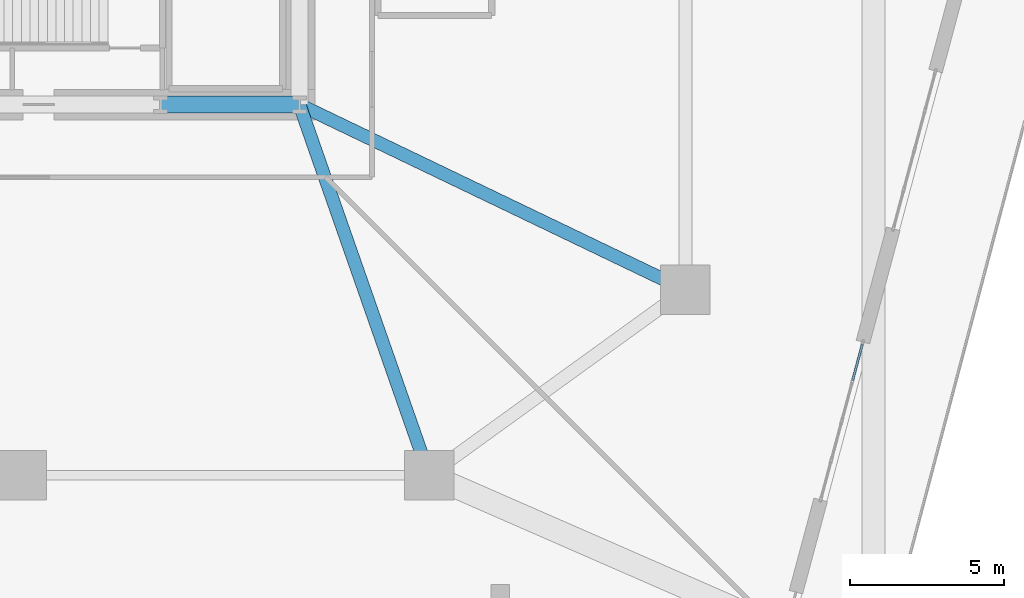
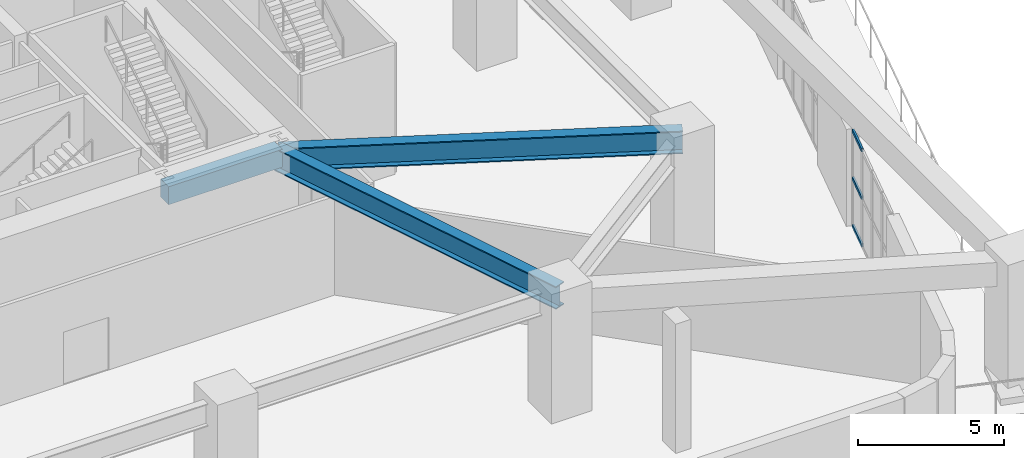
# One storey, part 9 of 34: 3 beams, 3 members, 1 element without a shape of its own.
"""IFC4 building model written with IfcOpenShell, lengths in metres."""

from ifc_helpers import new_model, si_unit, direction, frame, origin, origin_2d, place, context, subcontext, project, spatial, rectangle, hollow_rectangle, i_section, extrude, material, layer, layer_set, material_profile, profile_set, type_object, element, aggregate, save


model = new_model("IFC4")

# Units and contexts
model_context = context("Model", 3, precision=1e-05, world=origin(), true_north=direction((0.0, 1.0)))
body_context = subcontext(model_context, "Body", "Model", "MODEL_VIEW")
ifc_project = project(units=[si_unit("LENGTHUNIT", "METRE"), si_unit("AREAUNIT", "SQUARE_METRE"), si_unit("VOLUMEUNIT", "CUBIC_METRE"), si_unit("PLANEANGLEUNIT", "RADIAN"), si_unit("MASSUNIT", "GRAM", prefix="KILO")], contexts=[model_context])

# Site, building, storey
site_placement = place(None, origin())
site = spatial("IfcSite", under=ifc_project, at=site_placement, CompositionType="ELEMENT")
building_placement = place(site_placement, origin())
building = spatial("IfcBuilding", under=site, at=building_placement, Name="Kilnhurst Terrace Hotel", CompositionType="ELEMENT")
storey_placement = place(building_placement, frame((0.0, 0.0, 6.0)))
storey = spatial("IfcBuildingStorey", under=building, at=storey_placement, Name="L01", CompositionType="ELEMENT", Elevation=6.0)

# Beams
ifc_material_1 = material(Name="Concrete C50/60", Category="concrete")
ifc_material_profile_1 = material_profile(ifc_material_1, rectangle(XDim=0.550048828125, YDim=0.75, at=origin_2d()), Name="RC550X750")
ifc_profile_set_1 = profile_set([ifc_material_profile_1], Name="Concrete C50/60")
beam_type_1 = type_object("IfcBeamType", Name="BM-SPN-550X750", PredefinedType="SPANDREL", material=ifc_profile_set_1)
beam_1_placement = place(storey_placement, frame((4.5, -7.5, 4.705078125), z_axis=(1.0, 0.0, 0.0), x_axis=(0.0, 1.0, 0.0)))
element("IfcBeam", 1, at=beam_1_placement, inside=storey, type_object=beam_type_1, Name="L01 Core Tie Beam CC-SC2 to CC-SE", PredefinedType="SPANDREL", context=body_context, shape_type="SweptSolid", body=[
    extrude(rectangle(XDim=0.550048828125, YDim=0.75, at=origin_2d()), origin(), (0.0, 0.0, 1.0), 4.5),
])
ifc_material_2 = material(Name="Steel ASTM A992 Grade 50", Category="steel")
ifc_material_profile_2 = material_profile(ifc_material_2, i_section(OverallWidth=0.423095703125, OverallDepth=0.9482421875, WebThickness=0.02392578125, FlangeThickness=0.042724609375, at=origin_2d()), Name="W36X302")
ifc_profile_set_2 = profile_set([ifc_material_profile_2], Name="Steel ASTM A992 Grade 50")
beam_type_2 = type_object("IfcBeamType", Name="BM-STL-W36X302", PredefinedType="BEAM", material=ifc_profile_set_2)
beam_2_placement = place(storey_placement, frame((21.5, -13.5, 4.60595703125), z_axis=(-0.901523057468, 0.432731067585, 0.0), x_axis=(-0.432731067585, -0.901523057468, 0.0)))
element("IfcBeam", 2, at=beam_2_placement, inside=storey, type_object=beam_type_2, Name="L01 Podium Frame Beam 12", PredefinedType="BEAM", context=body_context, shape_type="SweptSolid", body=[
    extrude(i_section(OverallWidth=0.423095703125, OverallDepth=0.9482421875, WebThickness=0.02392578125, FlangeThickness=0.042724609375, at=origin_2d()), origin(), (0.0, 0.0, 1.0), 13.865478515625),
])
beam_3_placement = place(storey_placement, frame((13.199951171875, -19.5, 4.60595703125), z_axis=(-0.330347003279, 0.943859553866, 0.0), x_axis=(-0.943859553866, -0.330347003279, 0.0)))
element("IfcBeam", 3, at=beam_3_placement, inside=storey, type_object=beam_type_2, Name="L01 Podium Frame Beam 16", PredefinedType="BEAM", context=body_context, shape_type="SweptSolid", body=[
    extrude(i_section(OverallWidth=0.423095703125, OverallDepth=0.9482421875, WebThickness=0.02392578125, FlangeThickness=0.042724609375, at=origin_2d()), origin(), (0.0, 0.0, 1.0), 12.7138671875),
])

# Curtain wall, members
ifc_material_3 = material(Name="Anodized Aluminium Alloy 6063-T6 and Low-E Glass", Category="aluminium")
ifc_layer = layer(ifc_material_3, 0.219970703125, Name="Anodized Aluminium Alloy 6063-T6 and Low-E Glass")
ifc_layer_set = layer_set([ifc_layer], Name="Anodized Aluminium Alloy 6063-T6 and Low-E Glass")
curtain_wall_type = type_object("IfcCurtainWallType", Name="CW-POD-LOBBY", PredefinedType="NOTDEFINED", material=ifc_layer_set)
curtain_wall_placement = place(storey_placement, origin())
curtain_wall = element("IfcCurtainWall", 4, at=curtain_wall_placement, inside=storey, type_object=curtain_wall_type, Name="L01 Curtain Wall CW-L01-F2-1", PredefinedType="NOTDEFINED")
ifc_material_4 = material(Name="Extruded Aluminium Alloy 6063-T6", Category="aluminium")
ifc_material_profile_3 = material_profile(ifc_material_4, hollow_rectangle(XDim=0.074951171875, YDim=0.14990234375, WallThickness=0.00390625, at=origin_2d()), Name="CWT75X150")
ifc_profile_set_3 = profile_set([ifc_material_profile_3], Name="Extruded Aluminium Alloy 6063-T6")
member_type = type_object("IfcMemberType", Name="MEM-CWT75X150", PredefinedType="USERDEFINED", material=ifc_profile_set_3)
member_1_placement = place(storey_placement, frame((26.922119140625, -16.4326171875, 0.03759765625), z_axis=(0.2587797734, 0.965936348255, 0.0), x_axis=(-0.965936348255, 0.2587797734, 0.0)))
member_1 = element("IfcMember", 5, at=member_1_placement, type_object=member_type, Name="CWL-1 transom 4.1", ObjectType="TRANSOM", PredefinedType="USERDEFINED", context=body_context, shape_type="SweptSolid", body=[
    extrude(hollow_rectangle(XDim=0.074951171875, YDim=0.14990234375, WallThickness=0.00390625, at=origin_2d()), origin(), (0.0, 0.0, 1.0), 1.21044921875),
])
member_2_placement = place(storey_placement, frame((26.922119140625, -16.4326171875, 2.02490234375), z_axis=(0.2587797734, 0.965936348255, 0.0), x_axis=(-0.965936348255, 0.2587797734, 0.0)))
member_2 = element("IfcMember", 6, at=member_2_placement, type_object=member_type, Name="CWL-1 transom 4.2", ObjectType="TRANSOM", PredefinedType="USERDEFINED", context=body_context, shape_type="SweptSolid", body=[
    extrude(hollow_rectangle(XDim=0.074951171875, YDim=0.14990234375, WallThickness=0.00390625, at=origin_2d()), origin(), (0.0, 0.0, 1.0), 1.21044921875),
])
member_3_placement = place(storey_placement, frame((26.922119140625, -16.4326171875, 4.012451171875), z_axis=(0.2587797734, 0.965936348255, 0.0), x_axis=(-0.965936348255, 0.2587797734, 0.0)))
member_3 = element("IfcMember", 7, at=member_3_placement, type_object=member_type, Name="CWL-1 transom 4.3", ObjectType="TRANSOM", PredefinedType="USERDEFINED", context=body_context, shape_type="SweptSolid", body=[
    extrude(hollow_rectangle(XDim=0.074951171875, YDim=0.14990234375, WallThickness=0.00390625, at=origin_2d()), origin(), (0.0, 0.0, 1.0), 1.21044921875),
])
aggregate(curtain_wall, [member_1, member_2, member_3])

save(model, "model.ifc")
